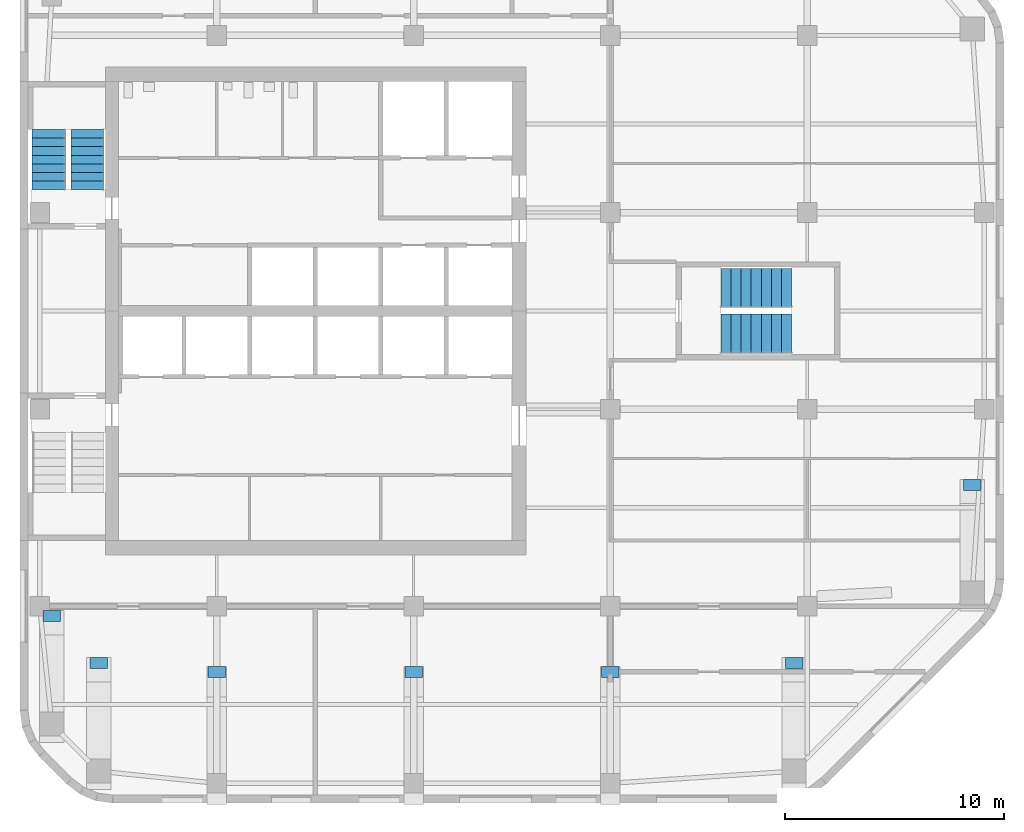
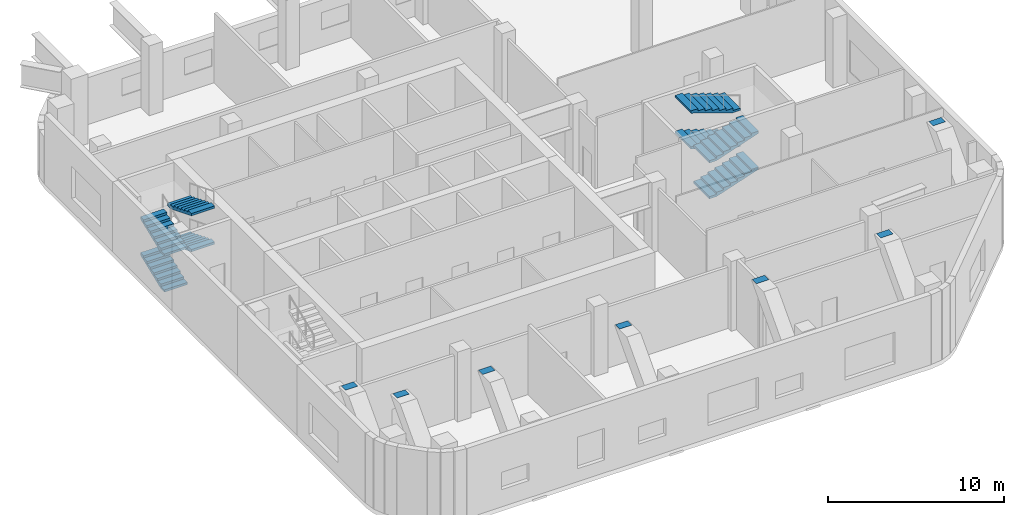
# One storey, part 6 of 8: 8 stair flights, 7 discrete accessories, 2 elements without a shape of their own.
"""IFC4 building model written with IfcOpenShell, lengths in metres."""

from ifc_helpers import new_model, si_unit, direction, frame, origin, origin_2d, place, context, subcontext, project, spatial, polyline, rectangle, outline, extrude, material, type_object, element, aggregate, save


model = new_model("IFC4")

# Units and contexts
model_context = context("Model", 3, precision=1e-05, world=origin(), true_north=direction((0.0, 1.0)))
body_context = subcontext(model_context, "Body", "Model", "MODEL_VIEW")
ifc_project = project(units=[si_unit("LENGTHUNIT", "METRE"), si_unit("AREAUNIT", "SQUARE_METRE"), si_unit("VOLUMEUNIT", "CUBIC_METRE"), si_unit("PLANEANGLEUNIT", "RADIAN"), si_unit("MASSUNIT", "GRAM", prefix="KILO")], contexts=[model_context])

# Site, building, storey
site_placement = place(None, origin())
site = spatial("IfcSite", under=ifc_project, at=site_placement, CompositionType="ELEMENT")
building_placement = place(site_placement, origin())
building = spatial("IfcBuilding", under=site, at=building_placement, Name="Cinnabar Reach Civic Tower", CompositionType="ELEMENT")
storey_placement = place(building_placement, frame((0.0, 0.0, 193.0)))
storey = spatial("IfcBuildingStorey", under=building, at=storey_placement, Name="L46", CompositionType="ELEMENT", Elevation=193.0)

# Stair, stair flights
ifc_material_1 = material(Name="Concrete C40/50", Category="concrete")
stair_type = type_object("IfcStairType", Name="T1 Exit stair, double return", PredefinedType="DOUBLE_RETURN_STAIR", material=ifc_material_1)
stair_1_placement = place(storey_placement, origin())
stair_1 = element("IfcStair", 1, at=stair_1_placement, inside=storey, type_object=stair_type, Name="Stair T1-S2", PredefinedType="DOUBLE_RETURN_STAIR")
stair_flight_type = type_object("IfcStairFlightType", Name="T1 Stair flight, concrete", PredefinedType="STRAIGHT", material=ifc_material_1)
stair_flight_1_placement = place(storey_placement, frame((1.3125, 37.05, 0.0), z_axis=(0.0, 0.0, 1.0), x_axis=(0.0, 1.0, 0.0)))
stair_flight_1 = element("IfcStairFlight", 2, at=stair_flight_1_placement, type_object=stair_flight_type, Name="T1-S2 flight 1", NumberOfRisers=8, NumberOfTreads=7, PredefinedType="STRAIGHT", RiserHeight=0.15625, TreadLength=0.392142857, context=body_context, shape_type="SweptSolid", body=[
    extrude(outline(polyline([(0.0, 0.0), (0.0, 0.1562), (0.3921, 0.1562), (0.3921, 0.3125), (0.7843, 0.3125), (0.7843, 0.4688), (1.1764, 0.4688), (1.1764, 0.625), (1.5686, 0.625), (1.5686, 0.7812), (1.9607, 0.7812), (1.9607, 0.9375), (2.3529, 0.9375), (2.3529, 1.0938), (2.745, 1.0938), (2.745, 1.25), (2.745, 0.9323), (0.4052, 0.0), (0.0, 0.0)])), frame((0.0, 0.7625, 0.0), z_axis=(0.0, -1.0, 0.0), x_axis=(1.0, 0.0, 0.0)), (0.0, 0.0, 1.0), 1.525),
])
stair_flight_2_placement = place(storey_placement, frame((3.0875, 39.795, 1.25), z_axis=(0.0, 0.0, 1.0), x_axis=(0.0, -1.0, 0.0)))
stair_flight_2 = element("IfcStairFlight", 3, at=stair_flight_2_placement, type_object=stair_flight_type, Name="T1-S2 flight 2", NumberOfRisers=8, NumberOfTreads=7, PredefinedType="STRAIGHT", RiserHeight=0.15625, TreadLength=0.392142857, context=body_context, shape_type="SweptSolid", body=[
    extrude(outline(polyline([(0.0, 0.0), (0.0, 0.1562), (0.3921, 0.1562), (0.3921, 0.3125), (0.7843, 0.3125), (0.7843, 0.4688), (1.1764, 0.4688), (1.1764, 0.625), (1.5686, 0.625), (1.5686, 0.7812), (1.9607, 0.7812), (1.9607, 0.9375), (2.3529, 0.9375), (2.3529, 1.0938), (2.745, 1.0938), (2.745, 1.25), (2.745, 0.9323), (0.4052, 0.0), (0.0, 0.0)])), frame((0.0, 0.7625, 0.0), z_axis=(0.0, -1.0, 0.0), x_axis=(1.0, 0.0, 0.0)), (0.0, 0.0, 1.0), 1.525),
])
stair_flight_3_placement = place(storey_placement, frame((1.3125, 37.05, 2.5), z_axis=(0.0, 0.0, 1.0), x_axis=(0.0, 1.0, 0.0)))
stair_flight_3 = element("IfcStairFlight", 4, at=stair_flight_3_placement, type_object=stair_flight_type, Name="T1-S2 flight 3", NumberOfRisers=8, NumberOfTreads=7, PredefinedType="STRAIGHT", RiserHeight=0.15625, TreadLength=0.392142857, context=body_context, shape_type="SweptSolid", body=[
    extrude(outline(polyline([(0.0, 0.0), (0.0, 0.1562), (0.3921, 0.1562), (0.3921, 0.3125), (0.7843, 0.3125), (0.7843, 0.4688), (1.1764, 0.4688), (1.1764, 0.625), (1.5686, 0.625), (1.5686, 0.7812), (1.9607, 0.7812), (1.9607, 0.9375), (2.3529, 0.9375), (2.3529, 1.0938), (2.745, 1.0938), (2.745, 1.25), (2.745, 0.9323), (0.4052, 0.0), (0.0, 0.0)])), frame((0.0, 0.7625, 0.0), z_axis=(0.0, -1.0, 0.0), x_axis=(1.0, 0.0, 0.0)), (0.0, 0.0, 1.0), 1.525),
])
stair_flight_4_placement = place(storey_placement, frame((3.0875, 39.795, 3.75), z_axis=(0.0, 0.0, 1.0), x_axis=(0.0, -1.0, 0.0)))
stair_flight_4 = element("IfcStairFlight", 5, at=stair_flight_4_placement, type_object=stair_flight_type, Name="T1-S2 flight 4", NumberOfRisers=8, NumberOfTreads=7, PredefinedType="STRAIGHT", RiserHeight=0.15625, TreadLength=0.392142857, context=body_context, shape_type="SweptSolid", body=[
    extrude(outline(polyline([(0.0, 0.0), (0.0, 0.1562), (0.3921, 0.1562), (0.3921, 0.3125), (0.7843, 0.3125), (0.7843, 0.4688), (1.1764, 0.4688), (1.1764, 0.625), (1.5686, 0.625), (1.5686, 0.7812), (1.9607, 0.7812), (1.9607, 0.9375), (2.3529, 0.9375), (2.3529, 1.0938), (2.745, 1.0938), (2.745, 1.25), (2.745, 0.9323), (0.4052, 0.0), (0.0, 0.0)])), frame((0.0, 0.7625, 0.0), z_axis=(0.0, -1.0, 0.0), x_axis=(1.0, 0.0, 0.0)), (0.0, 0.0, 1.0), 1.525),
])
aggregate(stair_1, [stair_flight_1, stair_flight_2, stair_flight_3, stair_flight_4])

stair_2_placement = place(storey_placement, origin())
stair_2 = element("IfcStair", 6, at=stair_2_placement, inside=storey, type_object=stair_type, Name="Stair T1-S3", PredefinedType="DOUBLE_RETURN_STAIR")
stair_flight_5_placement = place(storey_placement, frame((32.05, 30.45, 0.0), z_axis=(0.0, 0.0, 1.0), x_axis=(1.0, 0.0, 0.0)))
stair_flight_5 = element("IfcStairFlight", 7, at=stair_flight_5_placement, type_object=stair_flight_type, Name="T1-S3 flight 1", NumberOfRisers=8, NumberOfTreads=7, PredefinedType="STRAIGHT", RiserHeight=0.15625, TreadLength=0.462857143, context=body_context, shape_type="SweptSolid", body=[
    extrude(outline(polyline([(0.0, 0.0), (0.0, 0.1562), (0.4629, 0.1562), (0.4629, 0.3125), (0.9257, 0.3125), (0.9257, 0.4688), (1.3886, 0.4688), (1.3886, 0.625), (1.8514, 0.625), (1.8514, 0.7812), (2.3143, 0.7812), (2.3143, 0.9375), (2.7771, 0.9375), (2.7771, 1.0938), (3.24, 1.0938), (3.24, 1.25), (3.24, 0.9354), (0.469, 0.0), (0.0, 0.0)])), frame((0.0, 0.9, 0.0), z_axis=(0.0, -1.0, 0.0), x_axis=(1.0, 0.0, 0.0)), (0.0, 0.0, 1.0), 1.8),
])
stair_flight_6_placement = place(storey_placement, frame((35.29, 32.55, 1.25), z_axis=(0.0, 0.0, 1.0), x_axis=(-1.0, 0.0, 0.0)))
stair_flight_6 = element("IfcStairFlight", 8, at=stair_flight_6_placement, type_object=stair_flight_type, Name="T1-S3 flight 2", NumberOfRisers=8, NumberOfTreads=7, PredefinedType="STRAIGHT", RiserHeight=0.15625, TreadLength=0.462857143, context=body_context, shape_type="SweptSolid", body=[
    extrude(outline(polyline([(0.0, 0.0), (0.0, 0.1562), (0.4629, 0.1562), (0.4629, 0.3125), (0.9257, 0.3125), (0.9257, 0.4688), (1.3886, 0.4688), (1.3886, 0.625), (1.8514, 0.625), (1.8514, 0.7812), (2.3143, 0.7812), (2.3143, 0.9375), (2.7771, 0.9375), (2.7771, 1.0938), (3.24, 1.0938), (3.24, 1.25), (3.24, 0.9354), (0.469, 0.0), (0.0, 0.0)])), frame((0.0, 0.9, 0.0), z_axis=(0.0, -1.0, 0.0), x_axis=(1.0, 0.0, 0.0)), (0.0, 0.0, 1.0), 1.8),
])
stair_flight_7_placement = place(storey_placement, frame((32.05, 30.45, 2.5), z_axis=(0.0, 0.0, 1.0), x_axis=(1.0, 0.0, 0.0)))
stair_flight_7 = element("IfcStairFlight", 9, at=stair_flight_7_placement, type_object=stair_flight_type, Name="T1-S3 flight 3", NumberOfRisers=8, NumberOfTreads=7, PredefinedType="STRAIGHT", RiserHeight=0.15625, TreadLength=0.462857143, context=body_context, shape_type="SweptSolid", body=[
    extrude(outline(polyline([(0.0, 0.0), (0.0, 0.1562), (0.4629, 0.1562), (0.4629, 0.3125), (0.9257, 0.3125), (0.9257, 0.4688), (1.3886, 0.4688), (1.3886, 0.625), (1.8514, 0.625), (1.8514, 0.7812), (2.3143, 0.7812), (2.3143, 0.9375), (2.7771, 0.9375), (2.7771, 1.0938), (3.24, 1.0938), (3.24, 1.25), (3.24, 0.9354), (0.469, 0.0), (0.0, 0.0)])), frame((0.0, 0.9, 0.0), z_axis=(0.0, -1.0, 0.0), x_axis=(1.0, 0.0, 0.0)), (0.0, 0.0, 1.0), 1.8),
])
stair_flight_8_placement = place(storey_placement, frame((35.29, 32.55, 3.75), z_axis=(0.0, 0.0, 1.0), x_axis=(-1.0, 0.0, 0.0)))
stair_flight_8 = element("IfcStairFlight", 10, at=stair_flight_8_placement, type_object=stair_flight_type, Name="T1-S3 flight 4", NumberOfRisers=8, NumberOfTreads=7, PredefinedType="STRAIGHT", RiserHeight=0.15625, TreadLength=0.462857143, context=body_context, shape_type="SweptSolid", body=[
    extrude(outline(polyline([(0.0, 0.0), (0.0, 0.1562), (0.4629, 0.1562), (0.4629, 0.3125), (0.9257, 0.3125), (0.9257, 0.4688), (1.3886, 0.4688), (1.3886, 0.625), (1.8514, 0.625), (1.8514, 0.7812), (2.3143, 0.7812), (2.3143, 0.9375), (2.7771, 0.9375), (2.7771, 1.0938), (3.24, 1.0938), (3.24, 1.25), (3.24, 0.9354), (0.469, 0.0), (0.0, 0.0)])), frame((0.0, 0.9, 0.0), z_axis=(0.0, -1.0, 0.0), x_axis=(1.0, 0.0, 0.0)), (0.0, 0.0, 1.0), 1.8),
])
aggregate(stair_2, [stair_flight_5, stair_flight_6, stair_flight_7, stair_flight_8])

# Discrete accessories
ifc_material_2 = material(Name="Steel Q355B", Category="steel")
discrete_accessory_type = type_object("IfcDiscreteAccessoryType", Name="Raked column head plate", PredefinedType="USERDEFINED", material=ifc_material_2)
for number, where, z_axis, x_axis, name in (
    (11, (3.6019, 15.3923, 4.98), (0.0, 0.0, 1.0), (0.0, 1.0, 0.0), "Raked column head plate"),
    (12, (35.3981, 15.3923, 4.98), (0.0, 0.0, 1.0), (0.0, 1.0, 0.0), "Raked column head plate"),
    (13, (43.5469, 23.5411, 4.98), (0.0, 0.0, 1.0), (0.0, 1.0, 0.0), "Raked column head plate"),
    (14, (1.4531, 17.5411, 4.98), (0.0, 0.0, 1.0), (0.0, 1.0, 0.0), "Raked column head plate"),
    (15, (9.0, 14.9892, 4.98), (0.0, 0.0, 1.0), (0.0, 1.0, 0.0), "Raked column head plate"),
    (16, (18.0, 14.9892, 4.98), (0.0, 0.0, 1.0), (0.0, 1.0, 0.0), "Raked column head plate"),
    (17, (27.0, 14.9892, 4.98), (0.0, 0.0, 1.0), (0.0, 1.0, 0.0), "Raked column head plate"),
):
    element("IfcDiscreteAccessory", number, at=place(storey_placement, frame(where, z_axis=z_axis, x_axis=x_axis)), inside=storey, type_object=discrete_accessory_type, Name=name, ObjectType="HEAD PLATE", PredefinedType="USERDEFINED", context=body_context, shape_type="SweptSolid", body=[
        extrude(rectangle(XDim=0.5, YDim=0.8, at=origin_2d()), origin(), (0.0, 0.0, 1.0), 0.02),
    ])

save(model, "model.ifc")
